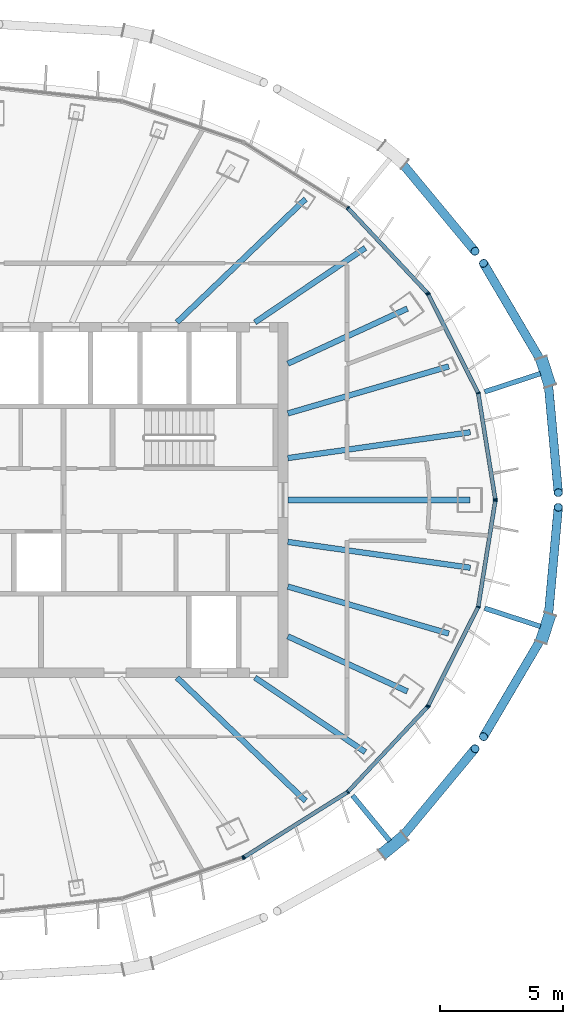
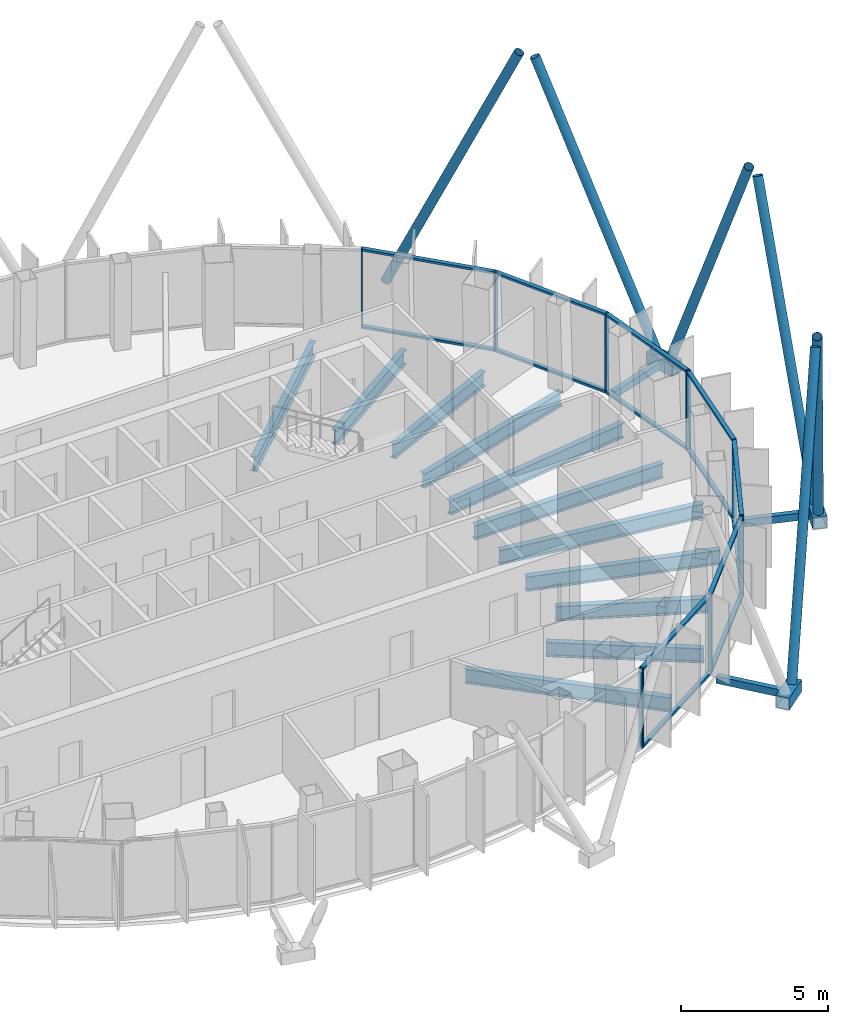
# One storey, part 6 of 18: 38 members, 11 beams, 5 elements without a shape of their own.
"""IFC4 building model written with IfcOpenShell, lengths in metres."""

import ifcopenshell
import ifcopenshell.guid

model = None  # the IFC model being written
_history = None  # IfcOwnerHistory: only IFC2X3 demands one
_inside = {}  # id of a spatial element -> (the spatial element, [elements in it])
_under = {}  # id of a project, library or spatial element -> (it, [spatial elements below it])
_declared = {}  # id of a project -> (the project, [libraries it declares])
_typed = {}  # id of a type object -> (the type object, [elements of that type])
_made_of = {}  # id of a material, layer set ... -> (it, [elements and type objects made of it])


def new_model(schema):
    """Start an empty IFC model of exactly this schema.

    Asked for "IFC4X3", IfcOpenShell would pick the latest addendum, in which some entities
    have other attributes; the version numbers below select the first issue.
    IFC2X3 requires an IfcOwnerHistory on every rooted entity: one is made here for all.
    """
    global model, _history
    if schema == "IFC4X3":
        model = ifcopenshell.file(schema_version=(4, 3, 0, 0))
    else:
        model = ifcopenshell.file(schema=schema)
    _inside.clear()
    _under.clear()
    _declared.clear()
    _typed.clear()
    _made_of.clear()
    _history = None
    if model.schema == "IFC2X3":
        org = make("IfcOrganization", Name="unknown")
        user = make(
            "IfcPersonAndOrganization",
            ThePerson=make("IfcPerson", FamilyName="unknown"),
            TheOrganization=org,
        )
        app = make(
            "IfcApplication",
            ApplicationDeveloper=org,
            Version="unknown",
            ApplicationFullName="unknown",
            ApplicationIdentifier="unknown",
        )
        _history = make(
            "IfcOwnerHistory",
            OwningUser=user,
            OwningApplication=app,
            ChangeAction="ADDED",
            CreationDate=0,
        )
    return model


def make(cls, **values):
    """One entity of the class cls with the attributes given. An attribute that is None is left unset."""
    return model.create_entity(
        cls, **{name: value for name, value in values.items() if value is not None}
    )


def rooted(cls, **values):
    """An entity with a GlobalId (a new one), such as an element, a storey or a relation."""
    return make(cls, GlobalId=ifcopenshell.guid.new(), OwnerHistory=_history, **values)


def si_unit(unit_type, name, prefix=None):
    """IfcSIUnit, for example si_unit("LENGTHUNIT", "METRE", prefix="MILLI")."""
    return make("IfcSIUnit", UnitType=unit_type, Prefix=prefix, Name=name)


def assignment(units):
    """IfcUnitAssignment: the units of a project."""
    return None if units is None else make("IfcUnitAssignment", Units=units)


def point(xyz):
    """IfcCartesianPoint."""
    return None if xyz is None else make("IfcCartesianPoint", Coordinates=xyz)


def direction(xyz):
    """IfcDirection."""
    return None if xyz is None else make("IfcDirection", DirectionRatios=xyz)


def frame(location, z_axis=None, x_axis=None):
    """IfcAxis2Placement3D, a coordinate frame: its origin and axes. An axis left out is left unset."""
    return make(
        "IfcAxis2Placement3D",
        Location=point(location),
        Axis=direction(z_axis),
        RefDirection=direction(x_axis),
    )


def frame_2d(location, x_axis=None):
    """IfcAxis2Placement2D, a coordinate frame in the plane: its origin and x axis."""
    return make(
        "IfcAxis2Placement2D", Location=point(location), RefDirection=direction(x_axis)
    )


def origin():
    """The frame at (0, 0, 0) with its axes left unset."""
    return frame((0.0, 0.0, 0.0))


def origin_2d():
    """The frame at (0, 0) in the plane with its x axis left unset."""
    return frame_2d((0.0, 0.0))


def place(relative_to, where):
    """IfcLocalPlacement: puts the frame where relative to a parent placement (None: the world)."""
    return make(
        "IfcLocalPlacement", PlacementRelTo=relative_to, RelativePlacement=where
    )


def context(
    kind, dimensions, precision=None, world=None, true_north=None, identifier=None
):
    """IfcGeometricRepresentationContext, for example the 3D "Model" context."""
    return make(
        "IfcGeometricRepresentationContext",
        ContextIdentifier=identifier,
        ContextType=kind,
        CoordinateSpaceDimension=dimensions,
        Precision=precision,
        WorldCoordinateSystem=world,
        TrueNorth=true_north,
    )


def subcontext(parent, identifier, kind, view, scale=None):
    """IfcGeometricRepresentationSubContext, for example "Body" below "Model"."""
    return make(
        "IfcGeometricRepresentationSubContext",
        ContextIdentifier=identifier,
        ContextType=kind,
        ParentContext=parent,
        TargetScale=scale,
        TargetView=view,
    )


def project(units=None, contexts=None):
    """IfcProject with its units and contexts."""
    return rooted(
        "IfcProject",
        Name="project",
        RepresentationContexts=contexts,
        UnitsInContext=assignment(units),
    )


def spatial(cls, under=None, at=None, **own):
    """A site, building, storey or space (cls), placed at a placement, below another one or the project."""
    s = rooted(cls, ObjectPlacement=at, **own)
    if under is not None:
        _under.setdefault(under.id(), (under, []))[1].append(s)
    return s


def profile(cls, at=None, kind="AREA", **sizes):
    """A parametric profile (cls). Its sizes go by their IFC names, for example OverallWidth=200.0."""
    return make(cls, ProfileType=kind, Position=at, **sizes)


def rectangle(**sizes):
    """IfcRectangleProfileDef."""
    return profile("IfcRectangleProfileDef", **sizes)


def hollow_rectangle(**sizes):
    """IfcRectangleHollowProfileDef."""
    return profile("IfcRectangleHollowProfileDef", **sizes)


def hollow_circle(**sizes):
    """IfcCircleHollowProfileDef."""
    return profile("IfcCircleHollowProfileDef", **sizes)


def i_section(**sizes):
    """IfcIShapeProfileDef."""
    return profile("IfcIShapeProfileDef", **sizes)


def extrude(swept, where, along, depth):
    """IfcExtrudedAreaSolid: the profile swept, set in the frame where, extruded along a direction by depth."""
    return make(
        "IfcExtrudedAreaSolid",
        SweptArea=swept,
        Position=where,
        ExtrudedDirection=direction(along),
        Depth=depth,
    )


def shape(context_of_items, identifier, shape_type, items):
    """IfcShapeRepresentation: the items that make up one representation, for example the "Body"."""
    return make(
        "IfcShapeRepresentation",
        ContextOfItems=context_of_items,
        RepresentationIdentifier=identifier,
        RepresentationType=shape_type,
        Items=items,
    )


def material(Name=None, Category=None):
    """IfcMaterial."""
    return make("IfcMaterial", Name=Name, Category=Category)


def layer(
    of_material, thickness, ventilated=None, Name=None, Category=None, Priority=None
):
    """IfcMaterialLayer: one layer of a wall or slab, of a material (None: an air gap)."""
    return make(
        "IfcMaterialLayer",
        Material=of_material,
        LayerThickness=thickness,
        IsVentilated=ventilated,
        Name=Name,
        Category=Category,
        Priority=Priority,
    )


def layer_set(layers, Name=None):
    """IfcMaterialLayerSet."""
    return make("IfcMaterialLayerSet", MaterialLayers=layers, LayerSetName=Name)


def material_profile(
    of_material, cross_section, Name=None, Category=None, Priority=None
):
    """IfcMaterialProfile: a cross section and its material."""
    return make(
        "IfcMaterialProfile",
        Name=Name,
        Material=of_material,
        Profile=cross_section,
        Priority=Priority,
        Category=Category,
    )


def profile_set(profiles, Name=None, composite=None):
    """IfcMaterialProfileSet."""
    return make(
        "IfcMaterialProfileSet",
        Name=Name,
        MaterialProfiles=profiles,
        CompositeProfile=composite,
    )


def made_of(thing, what):
    """Note that an element or type object is made of a material, layer set ...; save() writes the relation."""
    if what is not None:
        _made_of.setdefault(what.id(), (what, []))[1].append(thing)
    return thing


def type_object(cls, material=None, **own):
    """A type object (cls), such as IfcWallType, which elements share."""
    return made_of(rooted(cls, **own), material)


def element(
    cls,
    number,
    at=None,
    inside=None,
    cuts=None,
    type_object=None,
    material=None,
    context=None,
    identifier="Body",
    shape_type=None,
    held_by="IfcProductDefinitionShape",
    body=None,
    shapes=None,
    **own,
):
    """One element of the class cls, such as IfcWall. Its Tag is "e" and its number.

    at: its placement. inside: the storey or other place that contains it. cuts: it is an
    opening in that element (IfcRelVoidsElement). A single representation is given by context,
    identifier, shape_type and body (its items); several are given by shapes. held_by: the class
    of the entity that holds the representations. save() writes the other relations.
    """
    e = rooted(cls, Tag="e%d" % number, ObjectPlacement=at, **own)
    if body is not None:
        shapes = [shape(context, identifier, shape_type, body)]
    if shapes is not None:
        e.Representation = make(held_by, Representations=shapes)
    if inside is not None:
        _inside.setdefault(inside.id(), (inside, []))[1].append(e)
    if cuts is not None:
        rooted(
            "IfcRelVoidsElement", RelatingBuildingElement=cuts, RelatedOpeningElement=e
        )
    if type_object is not None:
        _typed.setdefault(type_object.id(), (type_object, []))[1].append(e)
    return made_of(e, material)


def aggregate(whole, parts):
    """IfcRelAggregates: a whole, such as a stair, and the parts it consists of."""
    return rooted("IfcRelAggregates", RelatingObject=whole, RelatedObjects=parts)


def save(model, path):
    """Write the relations noted so far, then the file.

    IfcRelAggregates (storeys below a building ...), IfcRelContainedInSpatialStructure (elements
    in a storey), IfcRelDefinesByType, IfcRelAssociatesMaterial and IfcRelDeclares: one each for
    every whole, place, type object, material and project.
    """
    for whole, parts in _under.values():
        aggregate(whole, parts)
    for where, things in _inside.values():
        rooted(
            "IfcRelContainedInSpatialStructure",
            RelatedElements=things,
            RelatingStructure=where,
        )
    for kind, things in _typed.values():
        rooted("IfcRelDefinesByType", RelatedObjects=things, RelatingType=kind)
    for what, things in _made_of.values():
        rooted("IfcRelAssociatesMaterial", RelatedObjects=things, RelatingMaterial=what)
    for by, libraries in _declared.values():
        rooted("IfcRelDeclares", RelatingContext=by, RelatedDefinitions=libraries)
    model.write(path)


model = new_model("IFC4")

# Units and contexts
model_context = context("Model", 3, precision=1e-05, world=origin(), true_north=direction((0.0, 1.0)))
body_context = subcontext(model_context, "Body", "Model", "MODEL_VIEW")
ifc_project = project(units=[si_unit("LENGTHUNIT", "METRE"), si_unit("AREAUNIT", "SQUARE_METRE"), si_unit("VOLUMEUNIT", "CUBIC_METRE"), si_unit("PLANEANGLEUNIT", "RADIAN"), si_unit("MASSUNIT", "GRAM", prefix="KILO")], contexts=[model_context])

# Site, building, storey
site_placement = place(None, origin())
site = spatial("IfcSite", under=ifc_project, at=site_placement, CompositionType="ELEMENT")
building_placement = place(site_placement, origin())
building = spatial("IfcBuilding", under=site, at=building_placement, Name="Siaravel Broadcast Tower", CompositionType="ELEMENT")
storey_placement = place(building_placement, frame((0.0, 0.0, 261.5)))
storey = spatial("IfcBuildingStorey", under=building, at=storey_placement, Name="L64", CompositionType="ELEMENT", Elevation=261.5)

# Beams
ifc_material_1 = material(Name="Steel S355", Category="steel")
ifc_material_profile_1 = material_profile(ifc_material_1, i_section(OverallWidth=0.2275390625, OverallDepth=0.6025390625, WebThickness=0.010498046875, FlangeThickness=0.014892578125, FilletRadius=0.0126953125, at=origin_2d()))
ifc_profile_set_1 = profile_set([ifc_material_profile_1], Name="Steel S355")
beam_type = type_object("IfcBeamType", Name="BM-UB 610x229x101", PredefinedType="BEAM", material=ifc_profile_set_1)
beam_1_placement = place(storey_placement, frame((19.3916015625, 0.0, -0.451416015625), z_axis=(-1.0, 0.0, 0.0), x_axis=(0.0, -1.0, 0.0)))
element("IfcBeam", 1, at=beam_1_placement, inside=storey, type_object=beam_type, Name="Radial beam RB01", PredefinedType="BEAM", context=body_context, shape_type="SweptSolid", body=[
    extrude(i_section(OverallWidth=0.2275390625, OverallDepth=0.6025390625, WebThickness=0.010498046875, FlangeThickness=0.014892578125, FilletRadius=0.0126953125, at=origin_2d()), origin(), (0.0, 0.0, 1.0), 7.3916015625),
])
beam_2_placement = place(storey_placement, frame((19.398193359375, 2.746337890625, -0.451416015625), z_axis=(-0.990127107, -0.140172435, 0.0), x_axis=(0.140172435, -0.990127107, 0.0)))
element("IfcBeam", 2, at=beam_2_placement, inside=storey, type_object=beam_type, Name="Radial beam RB02", PredefinedType="BEAM", context=body_context, shape_type="SweptSolid", body=[
    extrude(i_section(OverallWidth=0.2275390625, OverallDepth=0.6025390625, WebThickness=0.010498046875, FlangeThickness=0.014892578125, FilletRadius=0.0126953125, at=origin_2d()), origin(), (0.0, 0.0, 1.0), 7.471923828125),
])
beam_3_placement = place(storey_placement, frame((18.524658203125, 5.416015625, -0.451416015625), z_axis=(-0.959814356, -0.280635711, 0.0), x_axis=(0.280635711, -0.959814356, 0.0)))
element("IfcBeam", 3, at=beam_3_placement, inside=storey, type_object=beam_type, Name="Radial beam RB03", PredefinedType="BEAM", context=body_context, shape_type="SweptSolid", body=[
    extrude(i_section(OverallWidth=0.2275390625, OverallDepth=0.6025390625, WebThickness=0.010498046875, FlangeThickness=0.014892578125, FilletRadius=0.0126953125, at=origin_2d()), origin(), (0.0, 0.0, 1.0), 6.7978515625),
])
beam_4_placement = place(storey_placement, frame((16.84716796875, 7.7587890625, -0.451416015625), z_axis=(-0.908296515, -0.418326954, 0.0), x_axis=(0.418326954, -0.908296515, 0.0)))
element("IfcBeam", 4, at=beam_4_placement, inside=storey, type_object=beam_type, Name="Radial beam RB04", PredefinedType="BEAM", context=body_context, shape_type="SweptSolid", body=[
    extrude(i_section(OverallWidth=0.2275390625, OverallDepth=0.6025390625, WebThickness=0.010498046875, FlangeThickness=0.014892578125, FilletRadius=0.0126953125, at=origin_2d()), origin(), (0.0, 0.0, 1.0), 5.336669921875),
])
beam_5_placement = place(storey_placement, frame((15.138671875, 10.216796875, -0.451416015625), z_axis=(-0.828881737, -0.559423869, 0.0), x_axis=(0.559423869, -0.828881737, 0.0)))
element("IfcBeam", 5, at=beam_5_placement, inside=storey, type_object=beam_type, Name="Radial beam RB05", PredefinedType="BEAM", context=body_context, shape_type="SweptSolid", body=[
    extrude(i_section(OverallWidth=0.2275390625, OverallDepth=0.6025390625, WebThickness=0.010498046875, FlangeThickness=0.014892578125, FilletRadius=0.0126953125, at=origin_2d()), origin(), (0.0, 0.0, 1.0), 5.392822265625),
])
for number, where, z_axis, x_axis, name in (
    (6, (12.718505859375, 12.19873046875, -0.451416015625), (-0.721693293, -0.692212966, 0.0), (0.692212966, -0.721693293, 0.0), "Radial beam RB06"),
    (7, (12.718505859375, -12.19873046875, -0.451416015625), (-0.721693293, 0.692212966, 0.0), (-0.692212966, -0.721693293, 0.0), "Radial beam RB32"),
):
    element("IfcBeam", number, at=place(storey_placement, frame(where, z_axis=z_axis, x_axis=x_axis)), inside=storey, type_object=beam_type, Name=name, PredefinedType="BEAM", context=body_context, shape_type="SweptSolid", body=[
        extrude(i_section(OverallWidth=0.2275390625, OverallDepth=0.6025390625, WebThickness=0.010498046875, FlangeThickness=0.014892578125, FilletRadius=0.0126953125, at=origin_2d()), origin(), (0.0, 0.0, 1.0), 7.221435546875),
    ])
beam_6_placement = place(storey_placement, frame((15.138671875, -10.216796875, -0.451416015625), z_axis=(-0.828881737, 0.559423869, 0.0), x_axis=(-0.559423869, -0.828881737, 0.0)))
element("IfcBeam", 8, at=beam_6_placement, inside=storey, type_object=beam_type, Name="Radial beam RB33", PredefinedType="BEAM", context=body_context, shape_type="SweptSolid", body=[
    extrude(i_section(OverallWidth=0.2275390625, OverallDepth=0.6025390625, WebThickness=0.010498046875, FlangeThickness=0.014892578125, FilletRadius=0.0126953125, at=origin_2d()), origin(), (0.0, 0.0, 1.0), 5.392822265625),
])
beam_7_placement = place(storey_placement, frame((16.84716796875, -7.7587890625, -0.451416015625), z_axis=(-0.908296515, 0.418326954, 0.0), x_axis=(-0.418326954, -0.908296515, 0.0)))
element("IfcBeam", 9, at=beam_7_placement, inside=storey, type_object=beam_type, Name="Radial beam RB34", PredefinedType="BEAM", context=body_context, shape_type="SweptSolid", body=[
    extrude(i_section(OverallWidth=0.2275390625, OverallDepth=0.6025390625, WebThickness=0.010498046875, FlangeThickness=0.014892578125, FilletRadius=0.0126953125, at=origin_2d()), origin(), (0.0, 0.0, 1.0), 5.336669921875),
])
beam_8_placement = place(storey_placement, frame((18.524658203125, -5.416015625, -0.451416015625), z_axis=(-0.959814356, 0.280635711, 0.0), x_axis=(-0.280635711, -0.959814356, 0.0)))
element("IfcBeam", 10, at=beam_8_placement, inside=storey, type_object=beam_type, Name="Radial beam RB35", PredefinedType="BEAM", context=body_context, shape_type="SweptSolid", body=[
    extrude(i_section(OverallWidth=0.2275390625, OverallDepth=0.6025390625, WebThickness=0.010498046875, FlangeThickness=0.014892578125, FilletRadius=0.0126953125, at=origin_2d()), origin(), (0.0, 0.0, 1.0), 6.7978515625),
])
beam_9_placement = place(storey_placement, frame((19.398193359375, -2.746337890625, -0.451416015625), z_axis=(-0.990127107, 0.140172435, 0.0), x_axis=(-0.140172435, -0.990127107, 0.0)))
element("IfcBeam", 11, at=beam_9_placement, inside=storey, type_object=beam_type, Name="Radial beam RB36", PredefinedType="BEAM", context=body_context, shape_type="SweptSolid", body=[
    extrude(i_section(OverallWidth=0.2275390625, OverallDepth=0.6025390625, WebThickness=0.010498046875, FlangeThickness=0.014892578125, FilletRadius=0.0126953125, at=origin_2d()), origin(), (0.0, 0.0, 1.0), 7.471923828125),
])

# Curtain wall, members
ifc_material_2 = material(Name="Aluminium 6063-T6", Category="aluminium")
ifc_layer = layer(ifc_material_2, 0.159912109375)
ifc_layer_set = layer_set([ifc_layer], Name="Aluminium 6063-T6")
curtain_wall_type = type_object("IfcCurtainWallType", Name="Unitised curtain wall, zone 4", PredefinedType="NOTDEFINED", material=ifc_layer_set)
curtain_wall_1_placement = place(storey_placement, origin())
curtain_wall_1 = element("IfcCurtainWall", 12, at=curtain_wall_1_placement, inside=storey, type_object=curtain_wall_type, Name="L64 Unitised curtain wall, zone 4 01", PredefinedType="NOTDEFINED")
ifc_material_profile_2 = material_profile(ifc_material_2, rectangle(XDim=0.159912109375, YDim=0.054931640625, at=origin_2d()))
ifc_profile_set_2 = profile_set([ifc_material_profile_2], Name="Aluminium 6063-T6")
member_type_1 = type_object("IfcMemberType", Name="CW-Z4 mullion", PredefinedType="MULLION", material=ifc_profile_set_2)
member_1_placement = place(storey_placement, frame((20.4091796875, 0.027099609375, 0.0), z_axis=(0.0, 0.0, 1.0), x_axis=(-0.98732933, -0.158684574, 0.0)))
member_1 = element("IfcMember", 13, at=member_1_placement, type_object=member_type_1, Name="CW-Z4 mullion 1", PredefinedType="MULLION", context=body_context, shape_type="SweptSolid", body=[
    extrude(rectangle(XDim=0.159912109375, YDim=0.054931640625, at=origin_2d()), origin(), (0.0, 0.0, 1.0), 3.300048828125),
])
member_2_placement = place(storey_placement, frame((19.71728515625, 4.33251953125, 0.0), z_axis=(0.0, 0.0, 1.0), x_axis=(-0.951177692, -0.308643803, 0.0)))
member_2 = element("IfcMember", 14, at=member_2_placement, type_object=member_type_1, Name="CW-Z4 mullion 2", PredefinedType="MULLION", context=body_context, shape_type="SweptSolid", body=[
    extrude(rectangle(XDim=0.159912109375, YDim=0.054931640625, at=origin_2d()), origin(), (0.0, 0.0, 1.0), 3.300048828125),
])
member_3_placement = place(storey_placement, frame((17.688720703125, 8.34423828125, 0.0), z_axis=(0.0, 0.0, 1.0), x_axis=(-0.892393056, -0.451258942, 0.0)))
member_3 = element("IfcMember", 15, at=member_3_placement, type_object=member_type_1, Name="CW-Z4 mullion 3", PredefinedType="MULLION", context=body_context, shape_type="SweptSolid", body=[
    extrude(rectangle(XDim=0.159912109375, YDim=0.054931640625, at=origin_2d()), origin(), (0.0, 0.0, 1.0), 3.300048828125),
])

curtain_wall_2_placement = place(storey_placement, origin())
curtain_wall_2 = element("IfcCurtainWall", 16, at=curtain_wall_2_placement, inside=storey, type_object=curtain_wall_type, Name="L64 Unitised curtain wall, zone 4 02", PredefinedType="NOTDEFINED")
member_4_placement = place(storey_placement, frame((17.657470703125, 8.388916015625, 0.0), z_axis=(0.0, 0.0, 1.0), x_axis=(-0.729806776, -0.683653472, 0.0)))
member_4 = element("IfcMember", 17, at=member_4_placement, type_object=member_type_1, Name="CW-Z4 mullion 1", PredefinedType="MULLION", context=body_context, shape_type="SweptSolid", body=[
    extrude(rectangle(XDim=0.159912109375, YDim=0.054931640625, at=origin_2d()), origin(), (0.0, 0.0, 1.0), 3.300048828125),
])
member_5_placement = place(storey_placement, frame((14.430908203125, 11.833251953125, 0.0), z_axis=(0.0, 0.0, 1.0), x_axis=(-0.636220164, -0.771507552, 0.0)))
member_5 = element("IfcMember", 18, at=member_5_placement, type_object=member_type_1, Name="CW-Z4 mullion 2", PredefinedType="MULLION", context=body_context, shape_type="SweptSolid", body=[
    extrude(rectangle(XDim=0.159912109375, YDim=0.054931640625, at=origin_2d()), origin(), (0.0, 0.0, 1.0), 3.300048828125),
])

# Curtain wall, member
curtain_wall_3_placement = place(storey_placement, origin())
curtain_wall_3 = element("IfcCurtainWall", 19, at=curtain_wall_3_placement, inside=storey, type_object=curtain_wall_type, Name="L64 Unitised curtain wall, zone 4 10", PredefinedType="NOTDEFINED")
member_6_placement = place(storey_placement, frame((10.177001953125, -14.499267578125, 0.0), z_axis=(0.0, 0.0, 1.0), x_axis=(-0.321301606, 0.946976915, 0.0)))
member_6 = element("IfcMember", 20, at=member_6_placement, type_object=member_type_1, Name="CW-Z4 mullion 3", PredefinedType="MULLION", context=body_context, shape_type="SweptSolid", body=[
    extrude(rectangle(XDim=0.159912109375, YDim=0.054931640625, at=origin_2d()), origin(), (0.0, 0.0, 1.0), 3.300048828125),
])
aggregate(curtain_wall_3, [member_6])

# Curtain wall, members
curtain_wall_4_placement = place(storey_placement, origin())
curtain_wall_4 = element("IfcCurtainWall", 21, at=curtain_wall_4_placement, inside=storey, type_object=curtain_wall_type, Name="L64 Unitised curtain wall, zone 4 11", PredefinedType="NOTDEFINED")
member_7_placement = place(storey_placement, frame((10.226318359375, -14.475830078125, 0.0), z_axis=(0.0, 0.0, 1.0), x_axis=(-0.532150684, 0.846649661, 0.0)))
member_7 = element("IfcMember", 22, at=member_7_placement, type_object=member_type_1, Name="CW-Z4 mullion 1", PredefinedType="MULLION", context=body_context, shape_type="SweptSolid", body=[
    extrude(rectangle(XDim=0.159912109375, YDim=0.054931640625, at=origin_2d()), origin(), (0.0, 0.0, 1.0), 3.300048828125),
])
member_8_placement = place(storey_placement, frame((14.430908203125, -11.833251953125, 0.0), z_axis=(0.0, 0.0, 1.0), x_axis=(-0.636220164, 0.771507552, 0.0)))
member_8 = element("IfcMember", 23, at=member_8_placement, type_object=member_type_1, Name="CW-Z4 mullion 2", PredefinedType="MULLION", context=body_context, shape_type="SweptSolid", body=[
    extrude(rectangle(XDim=0.159912109375, YDim=0.054931640625, at=origin_2d()), origin(), (0.0, 0.0, 1.0), 3.300048828125),
])
member_9_placement = place(storey_placement, frame((17.657470703125, -8.388916015625, 0.0), z_axis=(0.0, 0.0, 1.0), x_axis=(-0.729806776, 0.683653472, 0.0)))
member_9 = element("IfcMember", 24, at=member_9_placement, type_object=member_type_1, Name="CW-Z4 mullion 3", PredefinedType="MULLION", context=body_context, shape_type="SweptSolid", body=[
    extrude(rectangle(XDim=0.159912109375, YDim=0.054931640625, at=origin_2d()), origin(), (0.0, 0.0, 1.0), 3.300048828125),
])

curtain_wall_5_placement = place(storey_placement, origin())
curtain_wall_5 = element("IfcCurtainWall", 25, at=curtain_wall_5_placement, inside=storey, type_object=curtain_wall_type, Name="L64 Unitised curtain wall, zone 4 12", PredefinedType="NOTDEFINED")
member_10_placement = place(storey_placement, frame((17.688720703125, -8.34423828125, 0.0), z_axis=(0.0, 0.0, 1.0), x_axis=(-0.892393056, 0.451258942, 0.0)))
member_10 = element("IfcMember", 26, at=member_10_placement, type_object=member_type_1, Name="CW-Z4 mullion 1", PredefinedType="MULLION", context=body_context, shape_type="SweptSolid", body=[
    extrude(rectangle(XDim=0.159912109375, YDim=0.054931640625, at=origin_2d()), origin(), (0.0, 0.0, 1.0), 3.300048828125),
])
member_11_placement = place(storey_placement, frame((19.71728515625, -4.33251953125, 0.0), z_axis=(0.0, 0.0, 1.0), x_axis=(-0.951177692, 0.308643803, 0.0)))
member_11 = element("IfcMember", 27, at=member_11_placement, type_object=member_type_1, Name="CW-Z4 mullion 2", PredefinedType="MULLION", context=body_context, shape_type="SweptSolid", body=[
    extrude(rectangle(XDim=0.159912109375, YDim=0.054931640625, at=origin_2d()), origin(), (0.0, 0.0, 1.0), 3.300048828125),
])
member_12_placement = place(storey_placement, frame((20.4091796875, -0.027099609375, 0.0), z_axis=(0.0, 0.0, 1.0), x_axis=(-0.98732933, 0.158684574, 0.0)))
member_12 = element("IfcMember", 28, at=member_12_placement, type_object=member_type_1, Name="CW-Z4 mullion 3", PredefinedType="MULLION", context=body_context, shape_type="SweptSolid", body=[
    extrude(rectangle(XDim=0.159912109375, YDim=0.054931640625, at=origin_2d()), origin(), (0.0, 0.0, 1.0), 3.300048828125),
])

# Member
ifc_material_profile_3 = material_profile(ifc_material_2, rectangle(XDim=0.159912109375, YDim=0.090087890625, at=origin_2d()))
ifc_profile_set_3 = profile_set([ifc_material_profile_3], Name="Aluminium 6063-T6")
member_type_2 = type_object("IfcMemberType", Name="CW-Z4 transom", PredefinedType="USERDEFINED", material=ifc_profile_set_3)
member_13_placement = place(storey_placement, frame((20.40478515625, 0.05419921875, 0.044921875), z_axis=(-0.158704745, 0.987326088, 0.0), x_axis=(-0.987326088, -0.158704745, 0.0)))
member_13 = element("IfcMember", 29, at=member_13_placement, type_object=member_type_2, Name="CW-Z4 transom 1", ObjectType="TRANSOM", PredefinedType="USERDEFINED", context=body_context, shape_type="SweptSolid", body=[
    extrude(rectangle(XDim=0.159912109375, YDim=0.090087890625, at=origin_2d()), origin(), (0.0, 0.0, 1.0), 4.305908203125),
])

member_14_placement = place(storey_placement, frame((20.40478515625, 0.05419921875, 3.2548828125), z_axis=(-0.158704745, 0.987326088, 0.0), x_axis=(-0.987326088, -0.158704745, 0.0)))
member_14 = element("IfcMember", 30, at=member_14_placement, type_object=member_type_2, Name="CW-Z4 transom 1", ObjectType="TRANSOM", PredefinedType="USERDEFINED", context=body_context, shape_type="SweptSolid", body=[
    extrude(rectangle(XDim=0.159912109375, YDim=0.090087890625, at=origin_2d()), origin(), (0.0, 0.0, 1.0), 4.305908203125),
])

member_15_placement = place(storey_placement, frame((19.70458984375, 4.357177734375, 0.044921875), z_axis=(-0.45125586, 0.892394615, 0.0), x_axis=(-0.892394615, -0.45125586, 0.0)))
member_15 = element("IfcMember", 31, at=member_15_placement, type_object=member_type_2, Name="CW-Z4 transom 2", ObjectType="TRANSOM", PredefinedType="USERDEFINED", context=body_context, shape_type="SweptSolid", body=[
    extrude(rectangle(XDim=0.159912109375, YDim=0.090087890625, at=origin_2d()), origin(), (0.0, 0.0, 1.0), 4.440185546875),
])

member_16_placement = place(storey_placement, frame((19.70458984375, 4.357177734375, 3.2548828125), z_axis=(-0.45125586, 0.892394615, 0.0), x_axis=(-0.892394615, -0.45125586, 0.0)))
member_16 = element("IfcMember", 32, at=member_16_placement, type_object=member_type_2, Name="CW-Z4 transom 2", ObjectType="TRANSOM", PredefinedType="USERDEFINED", context=body_context, shape_type="SweptSolid", body=[
    extrude(rectangle(XDim=0.159912109375, YDim=0.090087890625, at=origin_2d()), origin(), (0.0, 0.0, 1.0), 4.440185546875),
])

aggregate(curtain_wall_1, [member_1, member_2, member_3, member_13, member_14, member_15, member_16])

member_17_placement = place(storey_placement, frame((17.638671875, 8.408935546875, 0.044921875), z_axis=(-0.683648586, 0.729811353, 0.0), x_axis=(-0.729811353, -0.683648586, 0.0)))
member_17 = element("IfcMember", 33, at=member_17_placement, type_object=member_type_2, Name="CW-Z4 transom 1", ObjectType="TRANSOM", PredefinedType="USERDEFINED", context=body_context, shape_type="SweptSolid", body=[
    extrude(rectangle(XDim=0.159912109375, YDim=0.090087890625, at=origin_2d()), origin(), (0.0, 0.0, 1.0), 4.66455078125),
])

member_18_placement = place(storey_placement, frame((17.638671875, 8.408935546875, 3.2548828125), z_axis=(-0.683648586, 0.729811353, 0.0), x_axis=(-0.729811353, -0.683648586, 0.0)))
member_18 = element("IfcMember", 34, at=member_18_placement, type_object=member_type_2, Name="CW-Z4 transom 1", ObjectType="TRANSOM", PredefinedType="USERDEFINED", context=body_context, shape_type="SweptSolid", body=[
    extrude(rectangle(XDim=0.159912109375, YDim=0.090087890625, at=origin_2d()), origin(), (0.0, 0.0, 1.0), 4.66455078125),
])

aggregate(curtain_wall_2, [member_4, member_5, member_17, member_18])

member_19_placement = place(storey_placement, frame((10.249755859375, -14.461181640625, 0.044921875), z_axis=(0.846663426, 0.532128784, 0.0), x_axis=(-0.532128784, 0.846663426, 0.0)))
member_19 = element("IfcMember", 35, at=member_19_placement, type_object=member_type_2, Name="CW-Z4 transom 1", ObjectType="TRANSOM", PredefinedType="USERDEFINED", context=body_context, shape_type="SweptSolid", body=[
    extrude(rectangle(XDim=0.159912109375, YDim=0.090087890625, at=origin_2d()), origin(), (0.0, 0.0, 1.0), 4.910888671875),
])

member_20_placement = place(storey_placement, frame((10.249755859375, -14.461181640625, 3.2548828125), z_axis=(0.846663426, 0.532128784, 0.0), x_axis=(-0.532128784, 0.846663426, 0.0)))
member_20 = element("IfcMember", 36, at=member_20_placement, type_object=member_type_2, Name="CW-Z4 transom 1", ObjectType="TRANSOM", PredefinedType="USERDEFINED", context=body_context, shape_type="SweptSolid", body=[
    extrude(rectangle(XDim=0.159912109375, YDim=0.090087890625, at=origin_2d()), origin(), (0.0, 0.0, 1.0), 4.910888671875),
])

member_21_placement = place(storey_placement, frame((14.44970703125, -11.813232421875, 0.044921875), z_axis=(0.683648586, 0.729811353, 0.0), x_axis=(-0.729811353, 0.683648586, 0.0)))
member_21 = element("IfcMember", 37, at=member_21_placement, type_object=member_type_2, Name="CW-Z4 transom 2", ObjectType="TRANSOM", PredefinedType="USERDEFINED", context=body_context, shape_type="SweptSolid", body=[
    extrude(rectangle(XDim=0.159912109375, YDim=0.090087890625, at=origin_2d()), origin(), (0.0, 0.0, 1.0), 4.66455078125),
])

member_22_placement = place(storey_placement, frame((14.44970703125, -11.813232421875, 3.2548828125), z_axis=(0.683648586, 0.729811353, 0.0), x_axis=(-0.729811353, 0.683648586, 0.0)))
member_22 = element("IfcMember", 38, at=member_22_placement, type_object=member_type_2, Name="CW-Z4 transom 2", ObjectType="TRANSOM", PredefinedType="USERDEFINED", context=body_context, shape_type="SweptSolid", body=[
    extrude(rectangle(XDim=0.159912109375, YDim=0.090087890625, at=origin_2d()), origin(), (0.0, 0.0, 1.0), 4.66455078125),
])

aggregate(curtain_wall_4, [member_7, member_8, member_9, member_19, member_20, member_21, member_22])

member_23_placement = place(storey_placement, frame((17.700927734375, -8.319580078125, 0.044921875), z_axis=(0.45125586, 0.892394615, 0.0), x_axis=(-0.892394615, 0.45125586, 0.0)))
member_23 = element("IfcMember", 39, at=member_23_placement, type_object=member_type_2, Name="CW-Z4 transom 1", ObjectType="TRANSOM", PredefinedType="USERDEFINED", context=body_context, shape_type="SweptSolid", body=[
    extrude(rectangle(XDim=0.159912109375, YDim=0.090087890625, at=origin_2d()), origin(), (0.0, 0.0, 1.0), 4.440185546875),
])

member_24_placement = place(storey_placement, frame((17.700927734375, -8.319580078125, 3.2548828125), z_axis=(0.45125586, 0.892394615, 0.0), x_axis=(-0.892394615, 0.45125586, 0.0)))
member_24 = element("IfcMember", 40, at=member_24_placement, type_object=member_type_2, Name="CW-Z4 transom 1", ObjectType="TRANSOM", PredefinedType="USERDEFINED", context=body_context, shape_type="SweptSolid", body=[
    extrude(rectangle(XDim=0.159912109375, YDim=0.090087890625, at=origin_2d()), origin(), (0.0, 0.0, 1.0), 4.440185546875),
])

member_25_placement = place(storey_placement, frame((19.721435546875, -4.305419921875, 0.044921875), z_axis=(0.158704745, 0.987326088, 0.0), x_axis=(-0.987326088, 0.158704745, 0.0)))
member_25 = element("IfcMember", 41, at=member_25_placement, type_object=member_type_2, Name="CW-Z4 transom 2", ObjectType="TRANSOM", PredefinedType="USERDEFINED", context=body_context, shape_type="SweptSolid", body=[
    extrude(rectangle(XDim=0.159912109375, YDim=0.090087890625, at=origin_2d()), origin(), (0.0, 0.0, 1.0), 4.305908203125),
])

member_26_placement = place(storey_placement, frame((19.721435546875, -4.305419921875, 3.2548828125), z_axis=(0.158704745, 0.987326088, 0.0), x_axis=(-0.987326088, 0.158704745, 0.0)))
member_26 = element("IfcMember", 42, at=member_26_placement, type_object=member_type_2, Name="CW-Z4 transom 2", ObjectType="TRANSOM", PredefinedType="USERDEFINED", context=body_context, shape_type="SweptSolid", body=[
    extrude(rectangle(XDim=0.159912109375, YDim=0.090087890625, at=origin_2d()), origin(), (0.0, 0.0, 1.0), 4.305908203125),
])

aggregate(curtain_wall_5, [member_10, member_11, member_12, member_23, member_24, member_25, member_26])

# Members
ifc_material_3 = material(Name="Steel S460", Category="steel")
ifc_material_profile_4 = material_profile(ifc_material_3, hollow_circle(Radius=0.177734375, WallThickness=0.012451171875, at=origin_2d()))
ifc_profile_set_4 = profile_set([ifc_material_profile_4], Name="Steel S460")
member_type_3 = type_object("IfcMemberType", Name="Diagrid diagonal CHS 355.6x12.5", PredefinedType="BRACE", material=ifc_profile_set_4)
member_27_placement = place(storey_placement, frame((22.5419921875, 4.912353515625, 0.02001953125), z_axis=(0.036250388, -0.397158076, 0.917034008), x_axis=(0.995860335, 0.090896612, 0.0)))
element("IfcMember", 43, at=member_27_placement, inside=storey, type_object=member_type_3, Name="Diagrid diagonal R26 station 03C", PredefinedType="BRACE", context=body_context, shape_type="SweptSolid", body=[
    extrude(hollow_circle(Radius=0.177734375, WallThickness=0.012451171875, at=origin_2d()), origin(), (0.0, 0.0, 1.0), 11.624267578125),
])
member_28_placement = place(storey_placement, frame((22.358154296875, 5.47412109375, 0.02001953125), z_axis=(-0.207740369, 0.35279505, 0.912348394), x_axis=(-0.86170584, -0.507408165, 0.0)))
element("IfcMember", 44, at=member_28_placement, inside=storey, type_object=member_type_3, Name="Diagrid diagonal R26 station 03A", PredefinedType="BRACE", context=body_context, shape_type="SweptSolid", body=[
    extrude(hollow_circle(Radius=0.177734375, WallThickness=0.012451171875, at=origin_2d()), origin(), (0.0, 0.0, 1.0), 11.68408203125),
])
for number, where, z_axis, x_axis, name in (
    (45, (16.501708984375, 13.803955078125, 0.02001953125), (0.2638169, -0.318144412, 0.910595836), (0.769770055, 0.638321285, 0.0), "Diagrid diagonal R26 station 09C"),
    (46, (16.501708984375, -13.803955078125, 0.02001953125), (0.2638169, 0.318144412, 0.910595836), (-0.769770055, 0.638321285, 0.0), "Diagrid diagonal R26 station 63A"),
):
    element("IfcMember", number, at=place(storey_placement, frame(where, z_axis=z_axis, x_axis=x_axis)), inside=storey, type_object=member_type_3, Name=name, PredefinedType="BRACE", context=body_context, shape_type="SweptSolid", body=[
        extrude(hollow_circle(Radius=0.177734375, WallThickness=0.012451171875, at=origin_2d()), origin(), (0.0, 0.0, 1.0), 11.70654296875),
    ])
member_29_placement = place(storey_placement, frame((22.358154296875, -5.47412109375, 0.02001953125), z_axis=(-0.207740369, -0.35279505, 0.912348394), x_axis=(0.86170584, -0.507408165, 0.0)))
element("IfcMember", 47, at=member_29_placement, inside=storey, type_object=member_type_3, Name="Diagrid diagonal R26 station 69C", PredefinedType="BRACE", context=body_context, shape_type="SweptSolid", body=[
    extrude(hollow_circle(Radius=0.177734375, WallThickness=0.012451171875, at=origin_2d()), origin(), (0.0, 0.0, 1.0), 11.68408203125),
])
member_30_placement = place(storey_placement, frame((22.5419921875, -4.912353515625, 0.02001953125), z_axis=(0.036250388, 0.397158076, 0.917034008), x_axis=(-0.995860335, 0.090896612, 0.0)))
element("IfcMember", 48, at=member_30_placement, inside=storey, type_object=member_type_3, Name="Diagrid diagonal R26 station 69A", PredefinedType="BRACE", context=body_context, shape_type="SweptSolid", body=[
    extrude(hollow_circle(Radius=0.177734375, WallThickness=0.012451171875, at=origin_2d()), origin(), (0.0, 0.0, 1.0), 11.624267578125),
])
ifc_material_profile_5 = material_profile(ifc_material_3, hollow_rectangle(XDim=0.5, YDim=0.5, WallThickness=0.031982421875, at=origin_2d()))
ifc_profile_set_5 = profile_set([ifc_material_profile_5], Name="Steel S460")
member_type_4 = type_object("IfcMemberType", Name="Diagrid node BOX 500x500x32", PredefinedType="USERDEFINED", material=ifc_profile_set_5)
member_31_placement = place(storey_placement, frame((22.634521484375, 4.62939453125, -0.199951171875), z_axis=(-0.31103906, 0.950397129, 0.0), x_axis=(-0.950397129, -0.31103906, 0.0)))
element("IfcMember", 49, at=member_31_placement, inside=storey, type_object=member_type_4, Name="Diagrid node R26 station 03", ObjectType="DIAGRID NODE", PredefinedType="USERDEFINED", context=body_context, shape_type="SweptSolid", body=[
    extrude(hollow_rectangle(XDim=0.5, YDim=0.5, WallThickness=0.031982421875, at=origin_2d()), origin(), (0.0, 0.0, 1.0), 1.186767578125),
])
member_32_placement = place(storey_placement, frame((15.814208984375, -14.3671875, -0.199951171875), z_axis=(0.7735905, 0.633685835, 0.0), x_axis=(-0.633685835, 0.7735905, 0.0)))
element("IfcMember", 50, at=member_32_placement, inside=storey, type_object=member_type_4, Name="Diagrid node R26 station 63", ObjectType="DIAGRID NODE", PredefinedType="USERDEFINED", context=body_context, shape_type="SweptSolid", body=[
    extrude(hollow_rectangle(XDim=0.5, YDim=0.5, WallThickness=0.031982421875, at=origin_2d()), origin(), (0.0, 0.0, 1.0), 1.1865234375),
])
member_33_placement = place(storey_placement, frame((22.265380859375, -5.75732421875, -0.199951171875), z_axis=(0.31103906, 0.950397129, 0.0), x_axis=(-0.950397129, 0.31103906, 0.0)))
element("IfcMember", 51, at=member_33_placement, inside=storey, type_object=member_type_4, Name="Diagrid node R26 station 69", ObjectType="DIAGRID NODE", PredefinedType="USERDEFINED", context=body_context, shape_type="SweptSolid", body=[
    extrude(hollow_rectangle(XDim=0.5, YDim=0.5, WallThickness=0.031982421875, at=origin_2d()), origin(), (0.0, 0.0, 1.0), 1.186767578125),
])
ifc_material_profile_6 = material_profile(ifc_material_3, hollow_rectangle(XDim=0.199951171875, YDim=0.300048828125, WallThickness=0.012451171875, at=origin_2d()))
ifc_profile_set_6 = profile_set([ifc_material_profile_6], Name="Steel S460")
member_type_5 = type_object("IfcMemberType", Name="Diagrid node arm RHS 300x200x12.5", PredefinedType="STRUT", material=ifc_profile_set_6)
for number, where, z_axis, x_axis, name in (
    (52, (19.978759765625, 4.385009765625, -0.199951171875), (0.950442877, 0.31089924, 0.0), (-0.31089924, 0.950442877, 0.0), "Node arm R26 station 03"),
    (53, (14.62548828125, -11.97998046875, -0.199951171875), (0.633734814, -0.773550377, 0.0), (0.773550377, 0.633734814, 0.0), "Node arm R26 station 63"),
    (54, (19.978759765625, -4.385009765625, -0.199951171875), (0.950442877, -0.31089924, 0.0), (0.31089924, 0.950442877, 0.0), "Node arm R26 station 69"),
):
    element("IfcMember", number, at=place(storey_placement, frame(where, z_axis=z_axis, x_axis=x_axis)), inside=storey, type_object=member_type_5, Name=name, PredefinedType="STRUT", context=body_context, shape_type="SweptSolid", body=[
        extrude(hollow_rectangle(XDim=0.199951171875, YDim=0.300048828125, WallThickness=0.012451171875, at=origin_2d()), origin(), (0.0, 0.0, 1.0), 2.380126953125),
    ])

save(model, "model.ifc")
